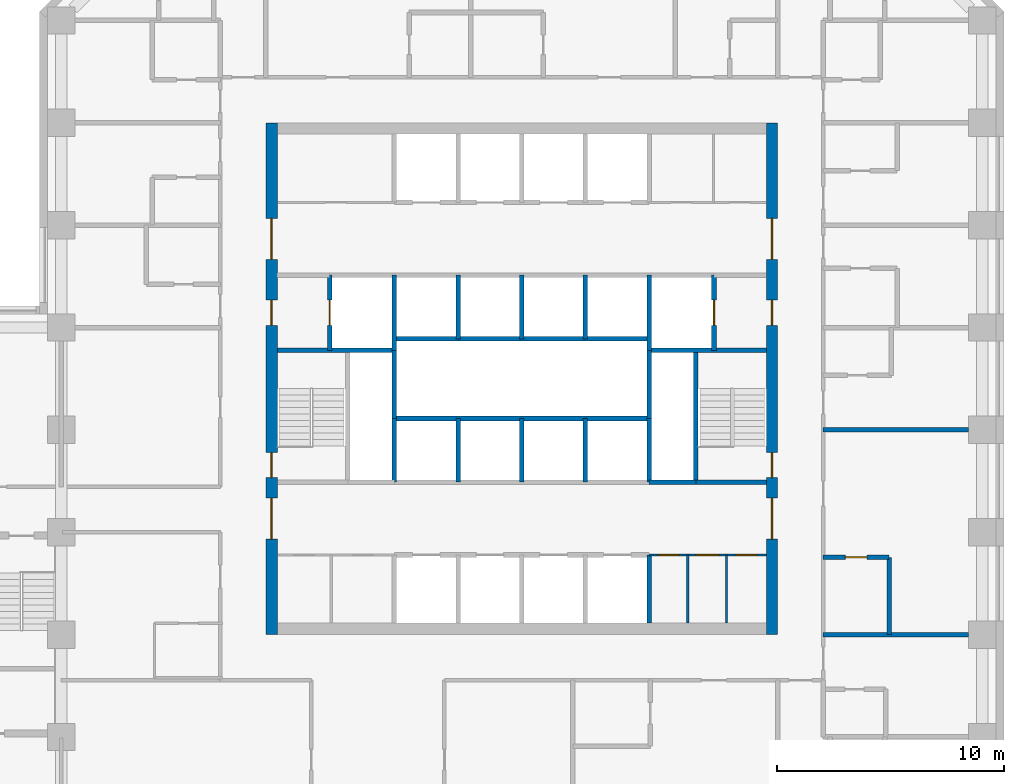
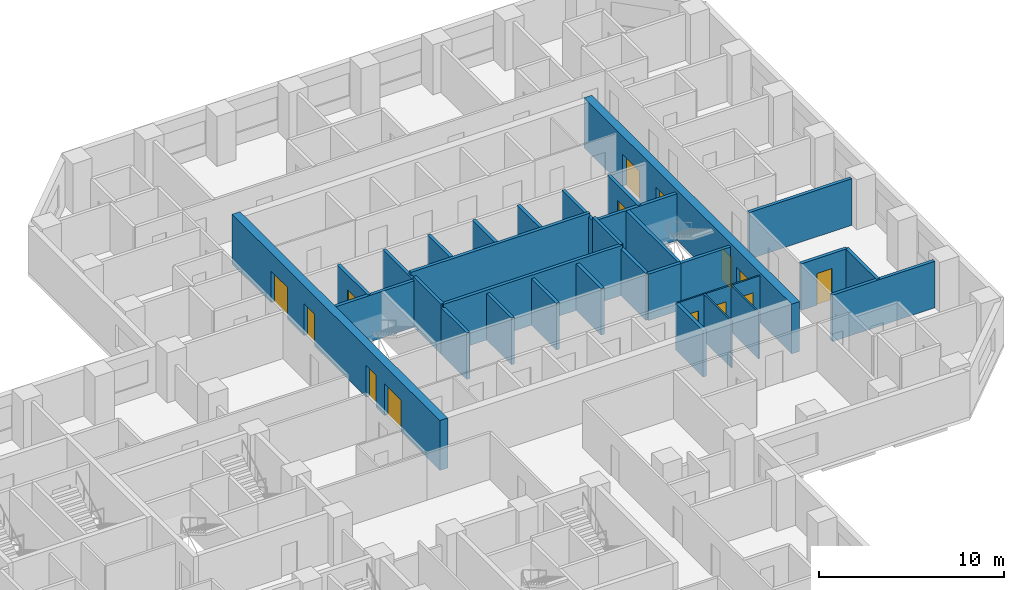
# One storey, part 8 of 12: 31 walls, 14 doors, 14 openings.
"""IFC4 building model written with IfcOpenShell, lengths in metres."""

from ifc_helpers import new_model, si_unit, direction, frame, frame_2d, origin, place, context, subcontext, project, spatial, rectangle, extrude, material, layer, layer_set, type_object, element, fill, save


model = new_model("IFC4")

# Units and contexts
model_context = context("Model", 3, precision=1e-05, world=origin(), true_north=direction((0.0, 1.0)))
body_context = subcontext(model_context, "Body", "Model", "MODEL_VIEW")
ifc_project = project(units=[si_unit("LENGTHUNIT", "METRE"), si_unit("AREAUNIT", "SQUARE_METRE"), si_unit("VOLUMEUNIT", "CUBIC_METRE"), si_unit("PLANEANGLEUNIT", "RADIAN"), si_unit("MASSUNIT", "GRAM", prefix="KILO")], contexts=[model_context])

# Site, building, storey
site_placement = place(None, origin())
site = spatial("IfcSite", under=ifc_project, at=site_placement, CompositionType="ELEMENT")
building_placement = place(site_placement, origin())
building = spatial("IfcBuilding", under=site, at=building_placement, Name="Quoin Convention Tower", CompositionType="ELEMENT")
storey_placement = place(building_placement, frame((0.0, 0.0, 29.699951171875)))
storey = spatial("IfcBuildingStorey", under=building, at=storey_placement, Name="L06", CompositionType="ELEMENT", Elevation=29.699951171875)

# Wall, openings, doors
ifc_material_1 = material(Name="Plasterboard")
ifc_layer_1 = layer(ifc_material_1, 0.012451171875, Name="Finish")
ifc_material_2 = material(Name="Steel stud framing", Category="steel")
ifc_layer_2 = layer(ifc_material_2, 0.074951171875, Name="Structure")
ifc_layer_3 = layer(ifc_material_1, 0.012451171875, Name="Finish")
ifc_layer_set_1 = layer_set([ifc_layer_1, ifc_layer_2, ifc_layer_3], Name="Steel stud framing")
wall_type_1 = type_object("IfcWallType", Name="Core partition wall", PredefinedType="PARTITIONING", material=ifc_layer_set_1)
wall_1_placement = place(storey_placement, frame((61.85009765625, 53.0, 0.0), z_axis=(0.0, 0.0, 1.0), x_axis=(1.0, 0.0, 0.0)))
wall_1 = element("IfcWall", 1, at=wall_1_placement, inside=storey, type_object=wall_type_1, Name="cr-C1-L06-h3500_16850", PredefinedType="PARTITIONING", context=body_context, shape_type="SweptSolid", body=[
    extrude(rectangle(XDim=5.14990234375, YDim=0.10009765625, at=frame_2d((2.574951171875, 0.0))), origin(), (0.0, 0.0, 1.0), 3.080078125),
])
opening_1_placement = place(wall_1_placement, frame((3.824462890625, 0.0, 0.0)))
opening_1 = element("IfcOpeningElement", 2, at=opening_1_placement, cuts=wall_1, Name="Opening DCV2-20", PredefinedType="OPENING", context=body_context, shape_type="SweptSolid", body=[
    extrude(rectangle(XDim=0.89990234375, YDim=2.10009765625, at=frame_2d((0.449951171875, 1.050048828125))), frame((0.0, 0.06005859375, 0.0), z_axis=(0.0, -1.0, 0.0), x_axis=(1.0, 0.0, 0.0)), (0.0, 0.0, 1.0), 0.1201171875),
])
opening_2_placement = place(wall_1_placement, frame((2.04931640625, 0.0, 0.0)))
opening_2 = element("IfcOpeningElement", 3, at=opening_2_placement, cuts=wall_1, Name="Opening DCV2-18", PredefinedType="OPENING", context=body_context, shape_type="SweptSolid", body=[
    extrude(rectangle(XDim=1.0, YDim=2.10009765625, at=frame_2d((0.5, 1.050048828125))), frame((0.0, 0.06005859375, 0.0), z_axis=(0.0, -1.0, 0.0), x_axis=(1.0, 0.0, 0.0)), (0.0, 0.0, 1.0), 0.1201171875),
])
opening_3_placement = place(wall_1_placement, frame((0.39990234375, 0.0, 0.0)))
opening_3 = element("IfcOpeningElement", 4, at=opening_3_placement, cuts=wall_1, Name="Opening DCV2-16", PredefinedType="OPENING", context=body_context, shape_type="SweptSolid", body=[
    extrude(rectangle(XDim=0.89990234375, YDim=2.10009765625, at=frame_2d((0.449951171875, 1.050048828125))), frame((0.0, 0.06005859375, 0.0), z_axis=(0.0, -1.0, 0.0), x_axis=(1.0, 0.0, 0.0)), (0.0, 0.0, 1.0), 0.1201171875),
])
ifc_material_3 = material(Name="Steel door leaf", Category="steel")
door_type_1 = type_object("IfcDoorType", Name="Core room door 1000 x 2100", OperationType="SINGLE_SWING_LEFT", PredefinedType="DOOR", material=ifc_material_3)
door_1_placement = place(opening_2_placement, frame((1.0, 0.0, 0.0), z_axis=(0.0, 0.0, 1.0), x_axis=(-1.0, 0.0, 0.0)))
door_1 = element("IfcDoor", 5, at=door_1_placement, inside=storey, type_object=door_type_1, Name="cd-C1-L06-CSE1-lobA-CD0611", OperationType="SINGLE_SWING_LEFT", OverallHeight=2.10009765625, OverallWidth=1.0, PredefinedType="DOOR", context=body_context, shape_type="SweptSolid", body=[
    extrude(rectangle(XDim=1.0, YDim=2.10009765625, at=frame_2d((0.5, 1.050048828125))), frame((0.0, 0.02490234375, 0.0), z_axis=(0.0, -1.0, 0.0), x_axis=(1.0, 0.0, 0.0)), (0.0, 0.0, 1.0), 0.050048828125),
])
fill(opening_2, door_1)
door_type_2 = type_object("IfcDoorType", Name="Core room door 900 x 2100", OperationType="SINGLE_SWING_LEFT", PredefinedType="DOOR", material=ifc_material_3)
door_2_placement = place(opening_1_placement, frame((0.89990234375, 0.0, 0.0), z_axis=(0.0, 0.0, 1.0), x_axis=(-1.0, 0.0, 0.0)))
door_2 = element("IfcDoor", 6, at=door_2_placement, inside=storey, type_object=door_type_2, Name="cd-C1-L06-CSE0-lobA-CD0610", OperationType="SINGLE_SWING_LEFT", OverallHeight=2.10009765625, OverallWidth=0.89990234375, PredefinedType="DOOR", context=body_context, shape_type="SweptSolid", body=[
    extrude(rectangle(XDim=0.89990234375, YDim=2.10009765625, at=frame_2d((0.449951171875, 1.050048828125))), frame((0.0, 0.02490234375, 0.0), z_axis=(0.0, -1.0, 0.0), x_axis=(1.0, 0.0, 0.0)), (0.0, 0.0, 1.0), 0.050048828125),
])
fill(opening_1, door_2)
door_3_placement = place(opening_3_placement, frame((0.89990234375, 0.0, 0.0), z_axis=(0.0, 0.0, 1.0), x_axis=(-1.0, 0.0, 0.0)))
door_3 = element("IfcDoor", 7, at=door_3_placement, inside=storey, type_object=door_type_2, Name="cd-C1-L06-CSE2-lobA-CD0612", OperationType="SINGLE_SWING_LEFT", OverallHeight=2.10009765625, OverallWidth=0.89990234375, PredefinedType="DOOR", context=body_context, shape_type="SweptSolid", body=[
    extrude(rectangle(XDim=0.89990234375, YDim=2.10009765625, at=frame_2d((0.449951171875, 1.050048828125))), frame((0.0, 0.02490234375, 0.0), z_axis=(0.0, -1.0, 0.0), x_axis=(1.0, 0.0, 0.0)), (0.0, 0.0, 1.0), 0.050048828125),
])
fill(opening_3, door_3)

# Walls
for number, where, z_axis, x_axis, name in (
    (8, (63.549560546875, 50.0, 0.0), (0.0, 0.0, 1.0), (0.0, 1.0, 0.0), "cr-C1-L06-v18550_500"),
    (9, (65.2490234375, 50.0, 0.0), (0.0, 0.0, 1.0), (0.0, 1.0, 0.0), "cr-C1-L06-v20249_500"),
):
    element("IfcWall", number, at=place(storey_placement, frame(where, z_axis=z_axis, x_axis=x_axis)), inside=storey, type_object=wall_type_1, Name=name, PredefinedType="PARTITIONING", context=body_context, shape_type="SweptSolid", body=[
        extrude(rectangle(XDim=3.0, YDim=0.10009765625, at=frame_2d((1.5, 0.0))), origin(), (0.0, 0.0, 1.0), 3.080078125),
    ])
ifc_material_4 = material(Name="Concrete C50", Category="concrete")
ifc_layer_4 = layer(ifc_material_4, 0.199951171875)
ifc_layer_set_2 = layer_set([ifc_layer_4], Name="Concrete C50")
wall_type_2 = type_object("IfcWallType", Name="Core shaft wall", PredefinedType="SOLIDWALL", material=ifc_layer_set_2)
wall_2_placement = place(storey_placement, frame((61.85009765625, 56.199951171875, 0.0), z_axis=(0.0, 0.0, 1.0), x_axis=(1.0, 0.0, 0.0)))
element("IfcWall", 10, at=wall_2_placement, inside=storey, type_object=wall_type_2, Name="cr-C1-L06-h6700_16850", PredefinedType="SOLIDWALL", context=body_context, shape_type="SweptSolid", body=[
    extrude(rectangle(XDim=2.0498046875, YDim=0.199951171875, at=frame_2d((1.02490234375, 0.0))), origin(), (0.0, 0.0, 1.0), 3.080078125),
])
wall_3_placement = place(storey_placement, frame((63.89990234375, 56.199951171875, 0.0), z_axis=(0.0, 0.0, 1.0), x_axis=(1.0, 0.0, 0.0)))
element("IfcWall", 11, at=wall_3_placement, inside=storey, type_object=wall_type_2, Name="cr-C1-L06-h6700_18900", PredefinedType="SOLIDWALL", context=body_context, shape_type="SweptSolid", body=[
    extrude(rectangle(XDim=3.10009765625, YDim=0.199951171875, at=frame_2d((1.550048828125, 0.0))), origin(), (0.0, 0.0, 1.0), 3.080078125),
])
for number, where, z_axis, x_axis, name in (
    (12, (45.5, 62.0, 0.0), (0.0, 0.0, 1.0), (1.0, 0.0, 0.0), "cr-C1-L06-h12500_500"),
    (13, (61.85009765625, 62.0, 0.0), (0.0, 0.0, 1.0), (1.0, 0.0, 0.0), "cr-C1-L06-h12500_16850"),
):
    element("IfcWall", number, at=place(storey_placement, frame(where, z_axis=z_axis, x_axis=x_axis)), inside=storey, type_object=wall_type_2, Name=name, PredefinedType="SOLIDWALL", context=body_context, shape_type="SweptSolid", body=[
        extrude(rectangle(XDim=5.14990234375, YDim=0.199951171875, at=frame_2d((2.574951171875, 0.0))), origin(), (0.0, 0.0, 1.0), 3.080078125),
    ])

# Wall, opening, door
wall_4_placement = place(storey_placement, frame((47.800048828125, 62.0, 0.0), z_axis=(0.0, 0.0, 1.0), x_axis=(0.0, 1.0, 0.0)))
wall_4 = element("IfcWall", 14, at=wall_4_placement, inside=storey, type_object=wall_type_2, Name="cr-C1-L06-v2800_12500", PredefinedType="SOLIDWALL", context=body_context, shape_type="SweptSolid", body=[
    extrude(rectangle(XDim=3.300048828125, YDim=0.199951171875, at=frame_2d((1.64990234375, 0.0))), origin(), (0.0, 0.0, 1.0), 3.080078125),
])
opening_4_placement = place(wall_4_placement, frame((1.10009765625, 0.0, 0.0)))
opening_4 = element("IfcOpeningElement", 15, at=opening_4_placement, cuts=wall_4, Name="Opening LDFL1", PredefinedType="OPENING", context=body_context, shape_type="SweptSolid", body=[
    extrude(rectangle(XDim=1.10009765625, YDim=2.10009765625, at=frame_2d((0.550048828125, 1.050048828125))), frame((0.0, 0.10986328125, 0.0), z_axis=(0.0, -1.0, 0.0), x_axis=(1.0, 0.0, 0.0)), (0.0, 0.0, 1.0), 0.219970703125),
])
door_type_3 = type_object("IfcDoorType", Name="Lift landing door 1100 x 2100", OperationType="DOUBLE_DOOR_SLIDING", PredefinedType="DOOR", material=ifc_material_3)
door_4_placement = place(opening_4_placement, origin())
door_4 = element("IfcDoor", 16, at=door_4_placement, inside=storey, type_object=door_type_3, Name="cd-C1-L06-FLW-FFW-LDFL1", OperationType="DOUBLE_DOOR_SLIDING", OverallHeight=2.10009765625, OverallWidth=1.10009765625, PredefinedType="DOOR", context=body_context, shape_type="SweptSolid", body=[
    extrude(rectangle(XDim=1.10009765625, YDim=2.10009765625, at=frame_2d((0.550048828125, 1.050048828125))), frame((0.0, 0.02490234375, 0.0), z_axis=(0.0, -1.0, 0.0), x_axis=(1.0, 0.0, 0.0)), (0.0, 0.0, 1.0), 0.050048828125),
])
fill(opening_4, door_4)

# Walls
wall_5_placement = place(storey_placement, frame((50.64990234375, 56.199951171875, 0.0), z_axis=(0.0, 0.0, 1.0), x_axis=(0.0, 1.0, 0.0)))
element("IfcWall", 17, at=wall_5_placement, inside=storey, type_object=wall_type_2, Name="cr-C1-L06-v5650_6700", PredefinedType="SOLIDWALL", context=body_context, shape_type="SweptSolid", body=[
    extrude(rectangle(XDim=2.800048828125, YDim=0.199951171875, at=frame_2d((1.39990234375, 0.0))), origin(), (0.0, 0.0, 1.0), 3.080078125),
])
wall_6_placement = place(storey_placement, frame((50.64990234375, 62.0, 0.0), z_axis=(0.0, 0.0, 1.0), x_axis=(0.0, 1.0, 0.0)))
element("IfcWall", 18, at=wall_6_placement, inside=storey, type_object=wall_type_2, Name="cr-C1-L06-v5650_12500", PredefinedType="SOLIDWALL", context=body_context, shape_type="SweptSolid", body=[
    extrude(rectangle(XDim=3.300048828125, YDim=0.199951171875, at=frame_2d((1.64990234375, 0.0))), origin(), (0.0, 0.0, 1.0), 3.080078125),
])
for number, where, z_axis, x_axis, name in (
    (19, (53.449951171875, 56.199951171875, 0.0), (0.0, 0.0, 1.0), (0.0, 1.0, 0.0), "cr-C1-L06-v8450_6700"),
    (20, (53.449951171875, 62.5, 0.0), (0.0, 0.0, 1.0), (0.0, 1.0, 0.0), "cr-C1-L06-v8450_13000"),
    (21, (56.25, 56.199951171875, 0.0), (0.0, 0.0, 1.0), (0.0, 1.0, 0.0), "cr-C1-L06-v11250_6700"),
    (22, (56.25, 62.5, 0.0), (0.0, 0.0, 1.0), (0.0, 1.0, 0.0), "cr-C1-L06-v11250_13000"),
    (23, (59.050048828125, 56.199951171875, 0.0), (0.0, 0.0, 1.0), (0.0, 1.0, 0.0), "cr-C1-L06-v14050_6700"),
    (24, (59.050048828125, 62.5, 0.0), (0.0, 0.0, 1.0), (0.0, 1.0, 0.0), "cr-C1-L06-v14050_13000"),
):
    element("IfcWall", number, at=place(storey_placement, frame(where, z_axis=z_axis, x_axis=x_axis)), inside=storey, type_object=wall_type_2, Name=name, PredefinedType="SOLIDWALL", context=body_context, shape_type="SweptSolid", body=[
        extrude(rectangle(XDim=2.800048828125, YDim=0.199951171875, at=frame_2d((1.39990234375, 0.0))), origin(), (0.0, 0.0, 1.0), 3.080078125),
    ])
wall_7_placement = place(storey_placement, frame((61.85009765625, 50.0, 0.0), z_axis=(0.0, 0.0, 1.0), x_axis=(0.0, 1.0, 0.0)))
element("IfcWall", 25, at=wall_7_placement, inside=storey, type_object=wall_type_2, Name="cr-C1-L06-v16850_500", PredefinedType="SOLIDWALL", context=body_context, shape_type="SweptSolid", body=[
    extrude(rectangle(XDim=3.0, YDim=0.199951171875, at=frame_2d((1.5, 0.0))), origin(), (0.0, 0.0, 1.0), 3.080078125),
])
wall_8_placement = place(storey_placement, frame((61.85009765625, 56.199951171875, 0.0), z_axis=(0.0, 0.0, 1.0), x_axis=(0.0, 1.0, 0.0)))
element("IfcWall", 26, at=wall_8_placement, inside=storey, type_object=wall_type_2, Name="cr-C1-L06-v16850_6700", PredefinedType="SOLIDWALL", context=body_context, shape_type="SweptSolid", body=[
    extrude(rectangle(XDim=2.800048828125, YDim=0.199951171875, at=frame_2d((1.39990234375, 0.0))), origin(), (0.0, 0.0, 1.0), 3.080078125),
])
wall_9_placement = place(storey_placement, frame((61.85009765625, 62.0, 0.0), z_axis=(0.0, 0.0, 1.0), x_axis=(0.0, 1.0, 0.0)))
element("IfcWall", 27, at=wall_9_placement, inside=storey, type_object=wall_type_2, Name="cr-C1-L06-v16850_12500", PredefinedType="SOLIDWALL", context=body_context, shape_type="SweptSolid", body=[
    extrude(rectangle(XDim=3.300048828125, YDim=0.199951171875, at=frame_2d((1.64990234375, 0.0))), origin(), (0.0, 0.0, 1.0), 3.080078125),
])
wall_10_placement = place(storey_placement, frame((63.89990234375, 56.199951171875, 0.0), z_axis=(0.0, 0.0, 1.0), x_axis=(0.0, 1.0, 0.0)))
element("IfcWall", 28, at=wall_10_placement, inside=storey, type_object=wall_type_2, Name="cr-C1-L06-v18900_6700", PredefinedType="SOLIDWALL", context=body_context, shape_type="SweptSolid", body=[
    extrude(rectangle(XDim=5.800048828125, YDim=0.199951171875, at=frame_2d((2.89990234375, 0.0))), origin(), (0.0, 0.0, 1.0), 3.080078125),
])

# Wall, opening, door
wall_11_placement = place(storey_placement, frame((64.699951171875, 62.0, 0.0), z_axis=(0.0, 0.0, 1.0), x_axis=(0.0, 1.0, 0.0)))
wall_11 = element("IfcWall", 29, at=wall_11_placement, inside=storey, type_object=wall_type_2, Name="cr-C1-L06-v19700_12500", PredefinedType="SOLIDWALL", context=body_context, shape_type="SweptSolid", body=[
    extrude(rectangle(XDim=3.300048828125, YDim=0.199951171875, at=frame_2d((1.64990234375, 0.0))), origin(), (0.0, 0.0, 1.0), 3.080078125),
])
opening_5_placement = place(wall_11_placement, frame((1.10009765625, 0.0, 0.0)))
opening_5 = element("IfcOpeningElement", 30, at=opening_5_placement, cuts=wall_11, Name="Opening LDFL2", PredefinedType="OPENING", context=body_context, shape_type="SweptSolid", body=[
    extrude(rectangle(XDim=1.10009765625, YDim=2.10009765625, at=frame_2d((0.550048828125, 1.050048828125))), frame((0.0, 0.10986328125, 0.0), z_axis=(0.0, -1.0, 0.0), x_axis=(1.0, 0.0, 0.0)), (0.0, 0.0, 1.0), 0.219970703125),
])
door_5_placement = place(opening_5_placement, origin())
door_5 = element("IfcDoor", 31, at=door_5_placement, inside=storey, type_object=door_type_3, Name="cd-C1-L06-FLE-FFE-LDFL2", OperationType="DOUBLE_DOOR_SLIDING", OverallHeight=2.10009765625, OverallWidth=1.10009765625, PredefinedType="DOOR", context=body_context, shape_type="SweptSolid", body=[
    extrude(rectangle(XDim=1.10009765625, YDim=2.10009765625, at=frame_2d((0.550048828125, 1.050048828125))), frame((0.0, 0.02490234375, 0.0), z_axis=(0.0, -1.0, 0.0), x_axis=(1.0, 0.0, 0.0)), (0.0, 0.0, 1.0), 0.050048828125),
])
fill(opening_5, door_5)

# Walls
ifc_layer_5 = layer(ifc_material_4, 0.199951171875)
ifc_layer_set_3 = layer_set([ifc_layer_5], Name="Concrete C50")
wall_type_3 = type_object("IfcWallType", Name="Core shaft wall to the floor level over", PredefinedType="SOLIDWALL", material=ifc_layer_set_3)
for number, where, z_axis, x_axis, name in (
    (32, (50.64990234375, 59.0, 0.0), (0.0, 0.0, 1.0), (1.0, 0.0, 0.0), "cr-C1-L06-h9500_5650"),
    (33, (50.64990234375, 62.5, 0.0), (0.0, 0.0, 1.0), (1.0, 0.0, 0.0), "cr-C1-L06-h13000_5650"),
):
    element("IfcWall", number, at=place(storey_placement, frame(where, z_axis=z_axis, x_axis=x_axis)), inside=storey, type_object=wall_type_3, Name=name, PredefinedType="SOLIDWALL", context=body_context, shape_type="SweptSolid", body=[
        extrude(rectangle(XDim=11.2001953125, YDim=0.199951171875, at=frame_2d((5.60009765625, 0.0))), origin(), (0.0, 0.0, 1.0), 3.300048828125),
    ])
for number, where, z_axis, x_axis, name in (
    (34, (50.64990234375, 59.0, 0.0), (0.0, 0.0, 1.0), (0.0, 1.0, 0.0), "cr-C1-L06-v5650_9500"),
    (35, (61.85009765625, 59.0, 0.0), (0.0, 0.0, 1.0), (0.0, 1.0, 0.0), "cr-C1-L06-v16850_9500"),
):
    element("IfcWall", number, at=place(storey_placement, frame(where, z_axis=z_axis, x_axis=x_axis)), inside=storey, type_object=wall_type_3, Name=name, PredefinedType="SOLIDWALL", context=body_context, shape_type="SweptSolid", body=[
        extrude(rectangle(XDim=3.0, YDim=0.199951171875, at=frame_2d((1.5, 0.0))), origin(), (0.0, 0.0, 1.0), 3.300048828125),
    ])

# Wall, openings, doors
ifc_material_5 = material(Name="Concrete C80", Category="concrete")
ifc_layer_6 = layer(ifc_material_5, 0.5)
ifc_layer_set_4 = layer_set([ifc_layer_6], Name="Concrete C80")
wall_type_4 = type_object("IfcWallType", Name="RC CORE WALL 500 C80", PredefinedType="SHEAR", material=ifc_layer_set_4)
wall_12_placement = place(storey_placement, frame((45.25, 49.5, 0.0), z_axis=(0.0, 0.0, 1.0), x_axis=(0.0, 1.0, 0.0)))
wall_12 = element("IfcWall", 36, at=wall_12_placement, inside=storey, type_object=wall_type_4, Name="cwl-C1-L06-W", PredefinedType="SHEAR", context=body_context, shape_type="SweptSolid", body=[
    extrude(rectangle(XDim=22.5, YDim=0.5, at=frame_2d((11.25, 0.0))), origin(), (0.0, 0.0, 1.0), 3.300048828125),
])
opening_6_placement = place(wall_12_placement, frame((4.199951171875, 0.0, 0.0)))
opening_6 = element("IfcOpeningElement", 37, at=opening_6_placement, cuts=wall_12, Name="Opening DCV2-40", PredefinedType="OPENING", context=body_context, shape_type="SweptSolid", body=[
    extrude(rectangle(XDim=1.800048828125, YDim=2.10009765625, at=frame_2d((0.89990234375, 1.050048828125))), frame((0.0, 0.260009765625, 0.0), z_axis=(0.0, -1.0, 0.0), x_axis=(1.0, 0.0, 0.0)), (0.0, 0.0, 1.0), 0.52001953125),
])
opening_7_placement = place(wall_12_placement, frame((6.89990234375, 0.0, 0.0)))
opening_7 = element("IfcOpeningElement", 38, at=opening_7_placement, cuts=wall_12, Name="Opening SD1", PredefinedType="OPENING", context=body_context, shape_type="SweptSolid", body=[
    extrude(rectangle(XDim=1.10009765625, YDim=2.10009765625, at=frame_2d((0.550048828125, 1.050048828125))), frame((0.0, 0.260009765625, 0.0), z_axis=(0.0, -1.0, 0.0), x_axis=(1.0, 0.0, 0.0)), (0.0, 0.0, 1.0), 0.52001953125),
])
opening_8_placement = place(wall_12_placement, frame((13.60009765625, 0.0, 0.0)))
opening_8 = element("IfcOpeningElement", 39, at=opening_8_placement, cuts=wall_12, Name="Opening DCV2-39", PredefinedType="OPENING", context=body_context, shape_type="SweptSolid", body=[
    extrude(rectangle(XDim=1.10009765625, YDim=2.10009765625, at=frame_2d((0.550048828125, 1.050048828125))), frame((0.0, 0.260009765625, 0.0), z_axis=(0.0, -1.0, 0.0), x_axis=(1.0, 0.0, 0.0)), (0.0, 0.0, 1.0), 0.52001953125),
])
opening_9_placement = place(wall_12_placement, frame((16.5, 0.0, 0.0)))
opening_9 = element("IfcOpeningElement", 40, at=opening_9_placement, cuts=wall_12, Name="Opening DCV2-40", PredefinedType="OPENING", context=body_context, shape_type="SweptSolid", body=[
    extrude(rectangle(XDim=1.800048828125, YDim=2.10009765625, at=frame_2d((0.89990234375, 1.050048828125))), frame((0.0, 0.260009765625, 0.0), z_axis=(0.0, -1.0, 0.0), x_axis=(1.0, 0.0, 0.0)), (0.0, 0.0, 1.0), 0.52001953125),
])
door_type_4 = type_object("IfcDoorType", Name="Fire-fighting lobby door 1100 x 2100", OperationType="SINGLE_SWING_LEFT", PredefinedType="DOOR", material=ifc_material_3)
door_6_placement = place(opening_8_placement, frame((1.10009765625, 0.0, 0.0), z_axis=(0.0, 0.0, 1.0), x_axis=(-1.0, 0.0, 0.0)))
door_6 = element("IfcDoor", 41, at=door_6_placement, inside=storey, type_object=door_type_4, Name="cd-C1-L06-FFW-W", OperationType="SINGLE_SWING_LEFT", OverallHeight=2.10009765625, OverallWidth=1.10009765625, PredefinedType="DOOR", context=body_context, shape_type="SweptSolid", body=[
    extrude(rectangle(XDim=1.10009765625, YDim=2.10009765625, at=frame_2d((0.550048828125, 1.050048828125))), frame((0.0, 0.02490234375, 0.0), z_axis=(0.0, -1.0, 0.0), x_axis=(1.0, 0.0, 0.0)), (0.0, 0.0, 1.0), 0.050048828125),
])
fill(opening_8, door_6)
door_type_5 = type_object("IfcDoorType", Name="Lift lobby door 1800 x 2100", OperationType="SINGLE_SWING_LEFT", PredefinedType="DOOR", material=ifc_material_3)
door_7_placement = place(opening_6_placement, frame((1.800048828125, 0.0, 0.0), z_axis=(0.0, 0.0, 1.0), x_axis=(-1.0, 0.0, 0.0)))
door_7 = element("IfcDoor", 42, at=door_7_placement, inside=storey, type_object=door_type_5, Name="cd-C1-L06-lobA-W", OperationType="SINGLE_SWING_LEFT", OverallHeight=2.10009765625, OverallWidth=1.800048828125, PredefinedType="DOOR", context=body_context, shape_type="SweptSolid", body=[
    extrude(rectangle(XDim=1.800048828125, YDim=2.10009765625, at=frame_2d((0.89990234375, 1.050048828125))), frame((0.0, 0.02490234375, 0.0), z_axis=(0.0, -1.0, 0.0), x_axis=(1.0, 0.0, 0.0)), (0.0, 0.0, 1.0), 0.050048828125),
])
fill(opening_6, door_7)
door_8_placement = place(opening_9_placement, frame((1.800048828125, 0.0, 0.0), z_axis=(0.0, 0.0, 1.0), x_axis=(-1.0, 0.0, 0.0)))
door_8 = element("IfcDoor", 43, at=door_8_placement, inside=storey, type_object=door_type_5, Name="cd-C1-L06-lobB-W", OperationType="SINGLE_SWING_LEFT", OverallHeight=2.10009765625, OverallWidth=1.800048828125, PredefinedType="DOOR", context=body_context, shape_type="SweptSolid", body=[
    extrude(rectangle(XDim=1.800048828125, YDim=2.10009765625, at=frame_2d((0.89990234375, 1.050048828125))), frame((0.0, 0.02490234375, 0.0), z_axis=(0.0, -1.0, 0.0), x_axis=(1.0, 0.0, 0.0)), (0.0, 0.0, 1.0), 0.050048828125),
])
fill(opening_9, door_8)
door_type_6 = type_object("IfcDoorType", Name="Stair door 1100 x 2100", OperationType="SINGLE_SWING_RIGHT", PredefinedType="DOOR", material=ifc_material_3)
door_9_placement = place(opening_7_placement, frame((1.10009765625, 0.0, 0.0), z_axis=(0.0, 0.0, 1.0), x_axis=(-1.0, 0.0, 0.0)))
door_9 = element("IfcDoor", 44, at=door_9_placement, inside=storey, type_object=door_type_6, Name="cd-C1-L06-STW-W", OperationType="SINGLE_SWING_RIGHT", OverallHeight=2.10009765625, OverallWidth=1.10009765625, PredefinedType="DOOR", context=body_context, shape_type="SweptSolid", body=[
    extrude(rectangle(XDim=1.10009765625, YDim=2.10009765625, at=frame_2d((0.550048828125, 1.050048828125))), frame((0.0, 0.02490234375, 0.0), z_axis=(0.0, -1.0, 0.0), x_axis=(1.0, 0.0, 0.0)), (0.0, 0.0, 1.0), 0.050048828125),
])
fill(opening_7, door_9)

wall_13_placement = place(storey_placement, frame((67.25, 49.5, 0.0), z_axis=(0.0, 0.0, 1.0), x_axis=(0.0, 1.0, 0.0)))
wall_13 = element("IfcWall", 45, at=wall_13_placement, inside=storey, type_object=wall_type_4, Name="cwl-C1-L06-E", PredefinedType="SHEAR", context=body_context, shape_type="SweptSolid", body=[
    extrude(rectangle(XDim=22.5, YDim=0.5, at=frame_2d((11.25, 0.0))), origin(), (0.0, 0.0, 1.0), 3.300048828125),
])
opening_10_placement = place(wall_13_placement, frame((4.199951171875, 0.0, 0.0)))
opening_10 = element("IfcOpeningElement", 46, at=opening_10_placement, cuts=wall_13, Name="Opening DCV2-38", PredefinedType="OPENING", context=body_context, shape_type="SweptSolid", body=[
    extrude(rectangle(XDim=1.800048828125, YDim=2.10009765625, at=frame_2d((0.89990234375, 1.050048828125))), frame((0.0, 0.260009765625, 0.0), z_axis=(0.0, -1.0, 0.0), x_axis=(1.0, 0.0, 0.0)), (0.0, 0.0, 1.0), 0.52001953125),
])
opening_11_placement = place(wall_13_placement, frame((6.89990234375, 0.0, 0.0)))
opening_11 = element("IfcOpeningElement", 47, at=opening_11_placement, cuts=wall_13, Name="Opening SD2", PredefinedType="OPENING", context=body_context, shape_type="SweptSolid", body=[
    extrude(rectangle(XDim=1.10009765625, YDim=2.10009765625, at=frame_2d((0.550048828125, 1.050048828125))), frame((0.0, 0.260009765625, 0.0), z_axis=(0.0, -1.0, 0.0), x_axis=(1.0, 0.0, 0.0)), (0.0, 0.0, 1.0), 0.52001953125),
])
opening_12_placement = place(wall_13_placement, frame((13.60009765625, 0.0, 0.0)))
opening_12 = element("IfcOpeningElement", 48, at=opening_12_placement, cuts=wall_13, Name="Opening DCV2-37", PredefinedType="OPENING", context=body_context, shape_type="SweptSolid", body=[
    extrude(rectangle(XDim=1.10009765625, YDim=2.10009765625, at=frame_2d((0.550048828125, 1.050048828125))), frame((0.0, 0.260009765625, 0.0), z_axis=(0.0, -1.0, 0.0), x_axis=(1.0, 0.0, 0.0)), (0.0, 0.0, 1.0), 0.52001953125),
])
opening_13_placement = place(wall_13_placement, frame((16.5, 0.0, 0.0)))
opening_13 = element("IfcOpeningElement", 49, at=opening_13_placement, cuts=wall_13, Name="Opening DCV2-38", PredefinedType="OPENING", context=body_context, shape_type="SweptSolid", body=[
    extrude(rectangle(XDim=1.800048828125, YDim=2.10009765625, at=frame_2d((0.89990234375, 1.050048828125))), frame((0.0, 0.260009765625, 0.0), z_axis=(0.0, -1.0, 0.0), x_axis=(1.0, 0.0, 0.0)), (0.0, 0.0, 1.0), 0.52001953125),
])
door_10_placement = place(opening_12_placement, origin())
door_10 = element("IfcDoor", 50, at=door_10_placement, inside=storey, type_object=door_type_4, Name="cd-C1-L06-FFE-E", OperationType="SINGLE_SWING_RIGHT", OverallHeight=2.10009765625, OverallWidth=1.10009765625, PredefinedType="DOOR", context=body_context, shape_type="SweptSolid", body=[
    extrude(rectangle(XDim=1.10009765625, YDim=2.10009765625, at=frame_2d((0.550048828125, 1.050048828125))), frame((0.0, 0.02490234375, 0.0), z_axis=(0.0, -1.0, 0.0), x_axis=(1.0, 0.0, 0.0)), (0.0, 0.0, 1.0), 0.050048828125),
])
fill(opening_12, door_10)
door_11_placement = place(opening_10_placement, origin())
door_11 = element("IfcDoor", 51, at=door_11_placement, inside=storey, type_object=door_type_5, Name="cd-C1-L06-lobA-E", OperationType="SINGLE_SWING_RIGHT", OverallHeight=2.10009765625, OverallWidth=1.800048828125, PredefinedType="DOOR", context=body_context, shape_type="SweptSolid", body=[
    extrude(rectangle(XDim=1.800048828125, YDim=2.10009765625, at=frame_2d((0.89990234375, 1.050048828125))), frame((0.0, 0.02490234375, 0.0), z_axis=(0.0, -1.0, 0.0), x_axis=(1.0, 0.0, 0.0)), (0.0, 0.0, 1.0), 0.050048828125),
])
fill(opening_10, door_11)
door_12_placement = place(opening_13_placement, origin())
door_12 = element("IfcDoor", 52, at=door_12_placement, inside=storey, type_object=door_type_5, Name="cd-C1-L06-lobB-E", OperationType="SINGLE_SWING_RIGHT", OverallHeight=2.10009765625, OverallWidth=1.800048828125, PredefinedType="DOOR", context=body_context, shape_type="SweptSolid", body=[
    extrude(rectangle(XDim=1.800048828125, YDim=2.10009765625, at=frame_2d((0.89990234375, 1.050048828125))), frame((0.0, 0.02490234375, 0.0), z_axis=(0.0, -1.0, 0.0), x_axis=(1.0, 0.0, 0.0)), (0.0, 0.0, 1.0), 0.050048828125),
])
fill(opening_13, door_12)
door_13_placement = place(opening_11_placement, origin())
door_13 = element("IfcDoor", 53, at=door_13_placement, inside=storey, type_object=door_type_6, Name="cd-C1-L06-STE-E", OperationType="SINGLE_SWING_LEFT", OverallHeight=2.10009765625, OverallWidth=1.10009765625, PredefinedType="DOOR", context=body_context, shape_type="SweptSolid", body=[
    extrude(rectangle(XDim=1.10009765625, YDim=2.10009765625, at=frame_2d((0.550048828125, 1.050048828125))), frame((0.0, 0.02490234375, 0.0), z_axis=(0.0, -1.0, 0.0), x_axis=(1.0, 0.0, 0.0)), (0.0, 0.0, 1.0), 0.050048828125),
])
fill(opening_11, door_13)

# Walls
ifc_layer_7 = layer(ifc_material_4, 0.199951171875)
ifc_layer_set_5 = layer_set([ifc_layer_7], Name="Concrete C50")
wall_type_5 = type_object("IfcWallType", Name="RC party wall", PredefinedType="SOLIDWALL", material=ifc_layer_set_5)
wall_14_placement = place(storey_placement, frame((69.5, 49.5, 0.0), z_axis=(0.0, 0.0, 1.0), x_axis=(1.0, 0.0, 0.0)))
element("IfcWall", 54, at=wall_14_placement, inside=storey, type_object=wall_type_5, Name="pw-L06-089", PredefinedType="SOLIDWALL", context=body_context, shape_type="SweptSolid", body=[
    extrude(rectangle(XDim=6.39990234375, YDim=0.199951171875, at=frame_2d((3.199951171875, 0.0))), origin(), (0.0, 0.0, 1.0), 3.080078125),
])
wall_15_placement = place(storey_placement, frame((72.39990234375, 49.5, 0.0), z_axis=(0.0, 0.0, 1.0), x_axis=(0.0, 1.0, 0.0)))
element("IfcWall", 55, at=wall_15_placement, inside=storey, type_object=wall_type_5, Name="pw-L06-090", PredefinedType="SOLIDWALL", context=body_context, shape_type="SweptSolid", body=[
    extrude(rectangle(XDim=3.39990234375, YDim=0.199951171875, at=frame_2d((1.699951171875, 0.0))), origin(), (0.0, 0.0, 1.0), 3.080078125),
])

# Wall, opening, door
wall_16_placement = place(storey_placement, frame((69.5, 52.89990234375, 0.0), z_axis=(0.0, 0.0, 1.0), x_axis=(1.0, 0.0, 0.0)))
wall_16 = element("IfcWall", 56, at=wall_16_placement, inside=storey, type_object=wall_type_5, Name="pw-L06-091", PredefinedType="SOLIDWALL", context=body_context, shape_type="SweptSolid", body=[
    extrude(rectangle(XDim=2.89990234375, YDim=0.199951171875, at=frame_2d((1.449951171875, 0.0))), origin(), (0.0, 0.0, 1.0), 3.080078125),
])
opening_14_placement = place(wall_16_placement, frame((0.97509765625, 0.0, 0.0)))
opening_14 = element("IfcOpeningElement", 57, at=opening_14_placement, cuts=wall_16, Name="Opening DHOTEL-B-59", PredefinedType="OPENING", context=body_context, shape_type="SweptSolid", body=[
    extrude(rectangle(XDim=0.949951171875, YDim=2.10009765625, at=frame_2d((0.47509765625, 1.050048828125))), frame((0.0, 0.10986328125, 0.0), z_axis=(0.0, -1.0, 0.0), x_axis=(1.0, 0.0, 0.0)), (0.0, 0.0, 1.0), 0.219970703125),
])
door_type_7 = type_object("IfcDoorType", Name="Accessible bathroom door", OperationType="SINGLE_SWING_LEFT", PredefinedType="DOOR", material=ifc_material_3)
door_14_placement = place(opening_14_placement, origin())
door_14 = element("IfcDoor", 58, at=door_14_placement, inside=storey, type_object=door_type_7, Name="dr-L06-052", OperationType="SINGLE_SWING_LEFT", OverallHeight=2.10009765625, OverallWidth=0.949951171875, PredefinedType="DOOR", context=body_context, shape_type="SweptSolid", body=[
    extrude(rectangle(XDim=0.949951171875, YDim=2.10009765625, at=frame_2d((0.47509765625, 1.050048828125))), frame((0.0, 0.02490234375, 0.0), z_axis=(0.0, -1.0, 0.0), x_axis=(1.0, 0.0, 0.0)), (0.0, 0.0, 1.0), 0.050048828125),
])
fill(opening_14, door_14)

# Wall
wall_17_placement = place(storey_placement, frame((69.5, 58.5, 0.0), z_axis=(0.0, 0.0, 1.0), x_axis=(1.0, 0.0, 0.0)))
element("IfcWall", 59, at=wall_17_placement, inside=storey, type_object=wall_type_5, Name="pw-L06-102", PredefinedType="SOLIDWALL", context=body_context, shape_type="SweptSolid", body=[
    extrude(rectangle(XDim=6.39990234375, YDim=0.199951171875, at=frame_2d((3.199951171875, 0.0))), origin(), (0.0, 0.0, 1.0), 3.080078125),
])

save(model, "model.ifc")
